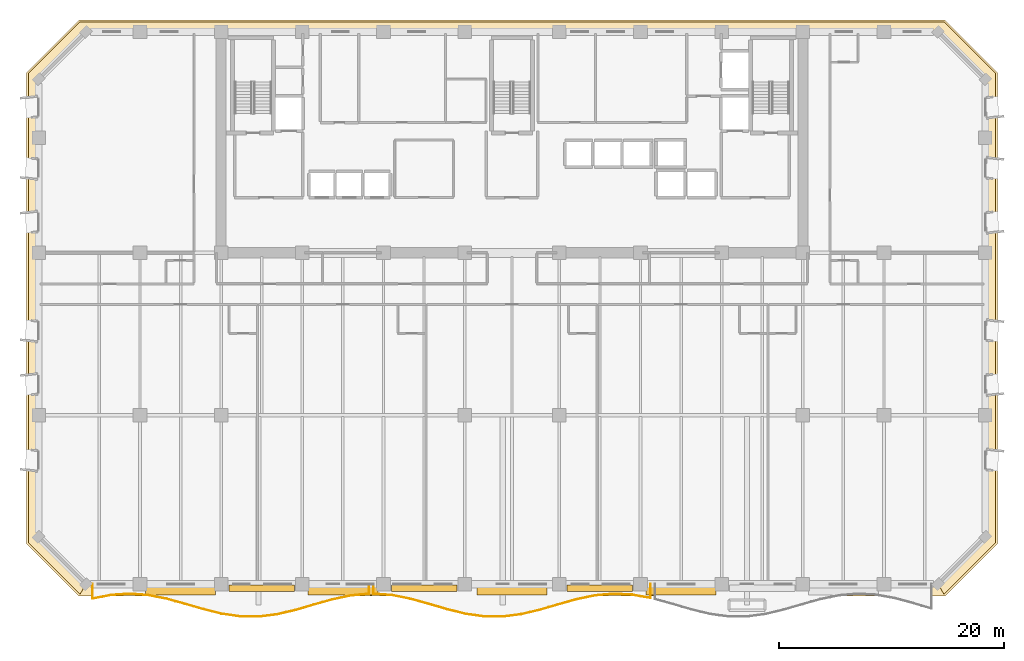
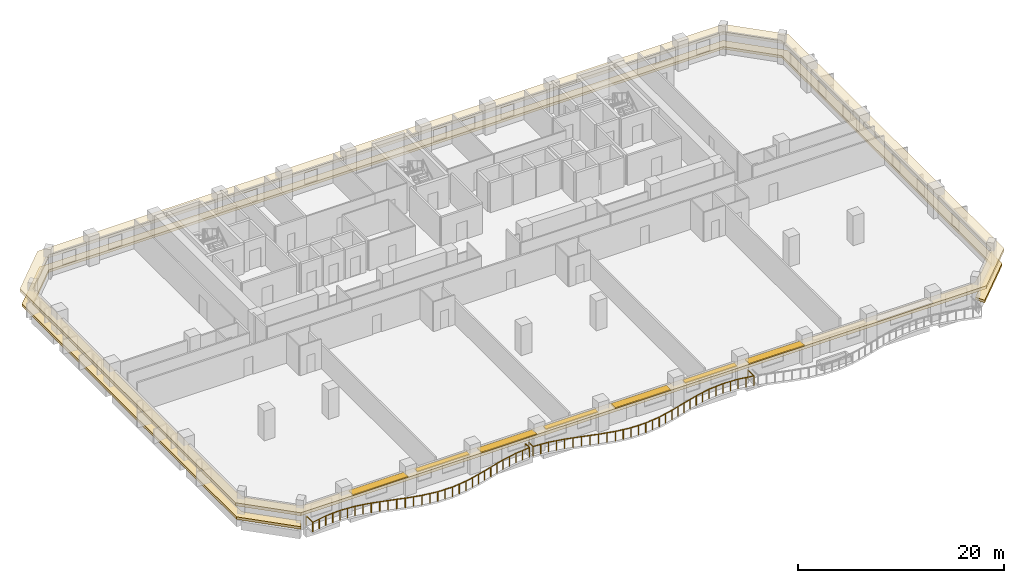
# One storey, part 11 of 14: 7 shading devices, 2 coverings, 2 railings.
"""IFC4 building model written with IfcOpenShell, lengths in metres."""

import ifcopenshell
import ifcopenshell.guid

model = None  # the IFC model being written
_history = None  # IfcOwnerHistory: only IFC2X3 demands one
_inside = {}  # id of a spatial element -> (the spatial element, [elements in it])
_under = {}  # id of a project, library or spatial element -> (it, [spatial elements below it])
_declared = {}  # id of a project -> (the project, [libraries it declares])
_typed = {}  # id of a type object -> (the type object, [elements of that type])
_made_of = {}  # id of a material, layer set ... -> (it, [elements and type objects made of it])


def new_model(schema):
    """Start an empty IFC model of exactly this schema.

    Asked for "IFC4X3", IfcOpenShell would pick the latest addendum, in which some entities
    have other attributes; the version numbers below select the first issue.
    IFC2X3 requires an IfcOwnerHistory on every rooted entity: one is made here for all.
    """
    global model, _history
    if schema == "IFC4X3":
        model = ifcopenshell.file(schema_version=(4, 3, 0, 0))
    else:
        model = ifcopenshell.file(schema=schema)
    _inside.clear()
    _under.clear()
    _declared.clear()
    _typed.clear()
    _made_of.clear()
    _history = None
    if model.schema == "IFC2X3":
        org = make("IfcOrganization", Name="unknown")
        user = make(
            "IfcPersonAndOrganization",
            ThePerson=make("IfcPerson", FamilyName="unknown"),
            TheOrganization=org,
        )
        app = make(
            "IfcApplication",
            ApplicationDeveloper=org,
            Version="unknown",
            ApplicationFullName="unknown",
            ApplicationIdentifier="unknown",
        )
        _history = make(
            "IfcOwnerHistory",
            OwningUser=user,
            OwningApplication=app,
            ChangeAction="ADDED",
            CreationDate=0,
        )
    return model


def make(cls, **values):
    """One entity of the class cls with the attributes given. An attribute that is None is left unset."""
    return model.create_entity(
        cls, **{name: value for name, value in values.items() if value is not None}
    )


def rooted(cls, **values):
    """An entity with a GlobalId (a new one), such as an element, a storey or a relation."""
    return make(cls, GlobalId=ifcopenshell.guid.new(), OwnerHistory=_history, **values)


def si_unit(unit_type, name, prefix=None):
    """IfcSIUnit, for example si_unit("LENGTHUNIT", "METRE", prefix="MILLI")."""
    return make("IfcSIUnit", UnitType=unit_type, Prefix=prefix, Name=name)


def assignment(units):
    """IfcUnitAssignment: the units of a project."""
    return None if units is None else make("IfcUnitAssignment", Units=units)


def point(xyz):
    """IfcCartesianPoint."""
    return None if xyz is None else make("IfcCartesianPoint", Coordinates=xyz)


def direction(xyz):
    """IfcDirection."""
    return None if xyz is None else make("IfcDirection", DirectionRatios=xyz)


def frame(location, z_axis=None, x_axis=None):
    """IfcAxis2Placement3D, a coordinate frame: its origin and axes. An axis left out is left unset."""
    return make(
        "IfcAxis2Placement3D",
        Location=point(location),
        Axis=direction(z_axis),
        RefDirection=direction(x_axis),
    )


def frame_2d(location, x_axis=None):
    """IfcAxis2Placement2D, a coordinate frame in the plane: its origin and x axis."""
    return make(
        "IfcAxis2Placement2D", Location=point(location), RefDirection=direction(x_axis)
    )


def origin():
    """The frame at (0, 0, 0) with its axes left unset."""
    return frame((0.0, 0.0, 0.0))


def origin_2d():
    """The frame at (0, 0) in the plane with its x axis left unset."""
    return frame_2d((0.0, 0.0))


def place(relative_to, where):
    """IfcLocalPlacement: puts the frame where relative to a parent placement (None: the world)."""
    return make(
        "IfcLocalPlacement", PlacementRelTo=relative_to, RelativePlacement=where
    )


def context(
    kind, dimensions, precision=None, world=None, true_north=None, identifier=None
):
    """IfcGeometricRepresentationContext, for example the 3D "Model" context."""
    return make(
        "IfcGeometricRepresentationContext",
        ContextIdentifier=identifier,
        ContextType=kind,
        CoordinateSpaceDimension=dimensions,
        Precision=precision,
        WorldCoordinateSystem=world,
        TrueNorth=true_north,
    )


def subcontext(parent, identifier, kind, view, scale=None):
    """IfcGeometricRepresentationSubContext, for example "Body" below "Model"."""
    return make(
        "IfcGeometricRepresentationSubContext",
        ContextIdentifier=identifier,
        ContextType=kind,
        ParentContext=parent,
        TargetScale=scale,
        TargetView=view,
    )


def project(units=None, contexts=None):
    """IfcProject with its units and contexts."""
    return rooted(
        "IfcProject",
        Name="project",
        RepresentationContexts=contexts,
        UnitsInContext=assignment(units),
    )


def spatial(cls, under=None, at=None, **own):
    """A site, building, storey or space (cls), placed at a placement, below another one or the project."""
    s = rooted(cls, ObjectPlacement=at, **own)
    if under is not None:
        _under.setdefault(under.id(), (under, []))[1].append(s)
    return s


def polyline(points):
    """IfcPolyline through the points."""
    return make("IfcPolyline", Points=[point(p) for p in points])


def profile(cls, at=None, kind="AREA", **sizes):
    """A parametric profile (cls). Its sizes go by their IFC names, for example OverallWidth=200.0."""
    return make(cls, ProfileType=kind, Position=at, **sizes)


def rectangle(**sizes):
    """IfcRectangleProfileDef."""
    return profile("IfcRectangleProfileDef", **sizes)


def outline(outer, holes=None, kind="AREA"):
    """IfcArbitraryClosedProfileDef: a profile drawn as a closed curve; with holes, ...WithVoids."""
    if holes is None:
        return make("IfcArbitraryClosedProfileDef", ProfileType=kind, OuterCurve=outer)
    return make(
        "IfcArbitraryProfileDefWithVoids",
        ProfileType=kind,
        OuterCurve=outer,
        InnerCurves=holes,
    )


def extrude(swept, where, along, depth):
    """IfcExtrudedAreaSolid: the profile swept, set in the frame where, extruded along a direction by depth."""
    return make(
        "IfcExtrudedAreaSolid",
        SweptArea=swept,
        Position=where,
        ExtrudedDirection=direction(along),
        Depth=depth,
    )


def shape(context_of_items, identifier, shape_type, items):
    """IfcShapeRepresentation: the items that make up one representation, for example the "Body"."""
    return make(
        "IfcShapeRepresentation",
        ContextOfItems=context_of_items,
        RepresentationIdentifier=identifier,
        RepresentationType=shape_type,
        Items=items,
    )


def material(Name=None, Category=None):
    """IfcMaterial."""
    return make("IfcMaterial", Name=Name, Category=Category)


def layer(
    of_material, thickness, ventilated=None, Name=None, Category=None, Priority=None
):
    """IfcMaterialLayer: one layer of a wall or slab, of a material (None: an air gap)."""
    return make(
        "IfcMaterialLayer",
        Material=of_material,
        LayerThickness=thickness,
        IsVentilated=ventilated,
        Name=Name,
        Category=Category,
        Priority=Priority,
    )


def layer_set(layers, Name=None):
    """IfcMaterialLayerSet."""
    return make("IfcMaterialLayerSet", MaterialLayers=layers, LayerSetName=Name)


def made_of(thing, what):
    """Note that an element or type object is made of a material, layer set ...; save() writes the relation."""
    if what is not None:
        _made_of.setdefault(what.id(), (what, []))[1].append(thing)
    return thing


def type_object(cls, material=None, **own):
    """A type object (cls), such as IfcWallType, which elements share."""
    return made_of(rooted(cls, **own), material)


def element(
    cls,
    number,
    at=None,
    inside=None,
    cuts=None,
    type_object=None,
    material=None,
    context=None,
    identifier="Body",
    shape_type=None,
    held_by="IfcProductDefinitionShape",
    body=None,
    shapes=None,
    **own,
):
    """One element of the class cls, such as IfcWall. Its Tag is "e" and its number.

    at: its placement. inside: the storey or other place that contains it. cuts: it is an
    opening in that element (IfcRelVoidsElement). A single representation is given by context,
    identifier, shape_type and body (its items); several are given by shapes. held_by: the class
    of the entity that holds the representations. save() writes the other relations.
    """
    e = rooted(cls, Tag="e%d" % number, ObjectPlacement=at, **own)
    if body is not None:
        shapes = [shape(context, identifier, shape_type, body)]
    if shapes is not None:
        e.Representation = make(held_by, Representations=shapes)
    if inside is not None:
        _inside.setdefault(inside.id(), (inside, []))[1].append(e)
    if cuts is not None:
        rooted(
            "IfcRelVoidsElement", RelatingBuildingElement=cuts, RelatedOpeningElement=e
        )
    if type_object is not None:
        _typed.setdefault(type_object.id(), (type_object, []))[1].append(e)
    return made_of(e, material)


def aggregate(whole, parts):
    """IfcRelAggregates: a whole, such as a stair, and the parts it consists of."""
    return rooted("IfcRelAggregates", RelatingObject=whole, RelatedObjects=parts)


def save(model, path):
    """Write the relations noted so far, then the file.

    IfcRelAggregates (storeys below a building ...), IfcRelContainedInSpatialStructure (elements
    in a storey), IfcRelDefinesByType, IfcRelAssociatesMaterial and IfcRelDeclares: one each for
    every whole, place, type object, material and project.
    """
    for whole, parts in _under.values():
        aggregate(whole, parts)
    for where, things in _inside.values():
        rooted(
            "IfcRelContainedInSpatialStructure",
            RelatedElements=things,
            RelatingStructure=where,
        )
    for kind, things in _typed.values():
        rooted("IfcRelDefinesByType", RelatedObjects=things, RelatingType=kind)
    for what, things in _made_of.values():
        rooted("IfcRelAssociatesMaterial", RelatedObjects=things, RelatingMaterial=what)
    for by, libraries in _declared.values():
        rooted("IfcRelDeclares", RelatingContext=by, RelatedDefinitions=libraries)
    model.write(path)


model = new_model("IFC4")

# Units and contexts
model_context = context("Model", 3, precision=1e-05, world=origin(), true_north=direction((0.0, 1.0)))
body_context = subcontext(model_context, "Body", "Model", "MODEL_VIEW")
ifc_project = project(units=[si_unit("LENGTHUNIT", "METRE"), si_unit("AREAUNIT", "SQUARE_METRE"), si_unit("VOLUMEUNIT", "CUBIC_METRE"), si_unit("PLANEANGLEUNIT", "RADIAN"), si_unit("MASSUNIT", "GRAM", prefix="KILO")], contexts=[model_context])

# Site, building, storey
site_placement = place(None, origin())
site = spatial("IfcSite", under=ifc_project, at=site_placement, CompositionType="ELEMENT")
building_placement = place(site_placement, origin())
building = spatial("IfcBuilding", under=site, at=building_placement, Name="Kaelvorn Grand Hotel", CompositionType="ELEMENT")
storey_placement = place(building_placement, frame((0.0, 0.0, 123.050048828125)))
storey = spatial("IfcBuildingStorey", under=building, at=storey_placement, Name="L29", CompositionType="ELEMENT", Elevation=123.050048828125)

# Coverings
ifc_material_1 = material(Name="Precast concrete C45/55", Category="concrete")
ifc_layer_1 = layer(ifc_material_1, 0.260009765625)
ifc_layer_set_1 = layer_set([ifc_layer_1], Name="Precast concrete C45/55")
covering_type_1 = type_object("IfcCoveringType", Name="COV-BAND-STREAMLINE-HEAD", PredefinedType="CLADDING", material=ifc_layer_set_1)
covering_1_placement = place(storey_placement, frame((0.0, 0.0, 2.179931640625)))
element("IfcCovering", 1, at=covering_1_placement, inside=storey, type_object=covering_type_1, Name="L29 Streamline Moderne Wraparound Horizontal Eyebrow Band", PredefinedType="CLADDING", context=body_context, shape_type="SweptSolid", body=[
    extrude(outline(polyline([(3.590087890625, -1.050048828125), (80.409912109375, -1.050048828125), (85.050048828125, 3.590087890625), (85.050048828125, 45.409912109375), (80.409912109375, 50.050048828125), (3.590087890625, 50.050048828125), (-1.050048828125, 45.409912109375), (-1.050048828125, 3.590087890625), (3.590087890625, -1.050048828125)]), holes=[polyline([(4.219970703125, 0.030029296875), (79.780029296875, 0.030029296875), (83.969970703125, 4.219970703125), (83.969970703125, 44.780029296875), (79.780029296875, 48.969970703125), (4.219970703125, 48.969970703125), (0.030029296875, 44.780029296875), (0.030029296875, 4.219970703125), (4.219970703125, 0.030029296875)])]), origin(), (0.0, 0.0, 1.0), 0.360107421875),
])
ifc_layer_2 = layer(ifc_material_1, 0.219970703125)
ifc_layer_set_2 = layer_set([ifc_layer_2], Name="Precast concrete C45/55")
covering_type_2 = type_object("IfcCoveringType", Name="COV-BAND-STREAMLINE-SILL", PredefinedType="CLADDING", material=ifc_layer_set_2)
covering_2_placement = place(storey_placement, frame((0.0, 0.0, 0.449951171875)))
element("IfcCovering", 2, at=covering_2_placement, inside=storey, type_object=covering_type_2, Name="L29 Streamline Moderne Wraparound Horizontal Sill Spandrel Band", PredefinedType="CLADDING", context=body_context, shape_type="SweptSolid", body=[
    extrude(outline(polyline([(80.3154296875, -0.8798828125), (84.8798828125, 3.6845703125), (84.8798828125, 45.3154296875), (80.3154296875, 49.8798828125), (3.6845703125, 49.8798828125), (-0.8798828125, 45.3154296875), (-0.8798828125, 3.6845703125), (3.6845703125, -0.8798828125), (4.217529296875, 0.030029296875), (0.030029296875, 4.217529296875), (0.030029296875, 44.782470703125), (4.217529296875, 48.969970703125), (79.782470703125, 48.969970703125), (83.969970703125, 44.782470703125), (83.969970703125, 4.217529296875), (79.782470703125, 0.030029296875), (80.3154296875, -0.8798828125)])), origin(), (0.0, 0.0, 1.0), 0.300048828125),
])

# Railings
ifc_material_2 = material(Name="Stainless Steel", Category="steel")
railing_type = type_object("IfcRailingType", Name="RL-BALC-1150", PredefinedType="BALUSTRADE", material=ifc_material_2)
railing_1_placement = place(storey_placement, frame((4.800048828125, 0.0, 0.0)))
element("IfcRailing", 3, at=railing_1_placement, inside=storey, type_object=railing_type, Name="L29 Scalloped Wave Balcony Balustrade GR1-1", PredefinedType="BALUSTRADE", context=body_context, shape_type="SweptSolid", body=[
    extrude(rectangle(XDim=0.048095703125, YDim=0.048095703125, at=origin_2d()), frame((0.0, 0.0, 1.1259765625), z_axis=(0.0, -1.0, 0.0), x_axis=(1.0, 0.0, 0.0)), (0.0, 0.0, 1.0), 1.2724609375),
    extrude(rectangle(XDim=0.048095703125, YDim=0.048095703125, at=origin_2d()), frame((0.0, -1.2724609375, 1.1259765625), z_axis=(0.982203562984, 0.1878194901, 0.0), x_axis=(-0.1878194901, 0.982203562984, 0.0)), (0.0, 0.0, 1.0), 1.6650390625),
    extrude(rectangle(XDim=0.048095703125, YDim=0.048095703125, at=origin_2d()), frame((1.635498046875, -0.959716796875, 1.1259765625), z_axis=(0.997761369143, 0.066874885019, 0.0), x_axis=(-0.066874885019, 0.997761369143, 0.0)), (0.0, 0.0, 1.0), 1.63916015625),
    extrude(rectangle(XDim=0.048095703125, YDim=0.048095703125, at=origin_2d()), frame((3.27099609375, -0.85009765625, 1.1259765625), z_axis=(0.997411632493, -0.071902957984, 0.0), x_axis=(0.071902957984, 0.997411632493, 0.0)), (0.0, 0.0, 1.0), 1.639892578125),
    extrude(rectangle(XDim=0.048095703125, YDim=0.048095703125, at=origin_2d()), frame((4.90673828125, -0.968017578125, 1.1259765625), z_axis=(0.981438838615, -0.191775405247, 0.0), x_axis=(0.191775405247, 0.981438838615, 0.0)), (0.0, 0.0, 1.0), 1.66650390625),
    extrude(rectangle(XDim=0.048095703125, YDim=0.048095703125, at=origin_2d()), frame((6.542236328125, -1.28759765625, 1.1259765625), z_axis=(0.96417686915, -0.265260183586, 0.0), x_axis=(0.265260183586, 0.96417686915, 0.0)), (0.0, 0.0, 1.0), 1.6962890625),
    extrude(rectangle(XDim=0.048095703125, YDim=0.048095703125, at=origin_2d()), frame((8.177734375, -1.737548828125, 1.1259765625), z_axis=(0.959454398454, -0.281863898516, 0.0), x_axis=(0.281863898516, 0.959454398454, 0.0)), (0.0, 0.0, 1.0), 1.70458984375),
    extrude(rectangle(XDim=0.048095703125, YDim=0.048095703125, at=origin_2d()), frame((9.813232421875, -2.218017578125, 1.1259765625), z_axis=(0.970778455787, -0.239977477651, 0.0), x_axis=(0.239977477651, 0.970778455787, 0.0)), (0.0, 0.0, 1.0), 1.684814453125),
    extrude(rectangle(XDim=0.048095703125, YDim=0.048095703125, at=origin_2d()), frame((11.44873046875, -2.622314453125, 1.1259765625), z_axis=(0.98955581649, -0.144150220432, 0.0), x_axis=(0.144150220432, 0.98955581649, 0.0)), (0.0, 0.0, 1.0), 1.653076171875),
    extrude(rectangle(XDim=0.048095703125, YDim=0.048095703125, at=origin_2d()), frame((13.08447265625, -2.860595703125, 1.1259765625), z_axis=(0.999928700978, -0.011941229449, 0.0), x_axis=(0.011941229449, 0.999928700978, 0.0)), (0.0, 0.0, 1.0), 1.635498046875),
    extrude(rectangle(XDim=0.048095703125, YDim=0.048095703125, at=origin_2d()), frame((14.719970703125, -2.880126953125, 1.1259765625), z_axis=(0.992302924099, 0.123834190856, 0.0), x_axis=(-0.123834190856, 0.992302924099, 0.0)), (0.0, 0.0, 1.0), 1.648193359375),
    extrude(rectangle(XDim=0.048095703125, YDim=0.048095703125, at=origin_2d()), frame((16.35546875, -2.676025390625, 1.1259765625), z_axis=(0.973844426508, 0.227215829024, 0.0), x_axis=(-0.227215829024, 0.973844426508, 0.0)), (0.0, 0.0, 1.0), 1.679443359375),
    extrude(rectangle(XDim=0.048095703125, YDim=0.048095703125, at=origin_2d()), frame((17.990966796875, -2.29443359375, 1.1259765625), z_axis=(0.960314032901, 0.278921060899, 0.0), x_axis=(-0.278921060899, 0.960314032901, 0.0)), (0.0, 0.0, 1.0), 1.703369140625),
    extrude(rectangle(XDim=0.048095703125, YDim=0.048095703125, at=origin_2d()), frame((19.626708984375, -1.8193359375, 1.1259765625), z_axis=(0.962241545122, 0.272197003733, 0.0), x_axis=(-0.272197003733, 0.962241545122, 0.0)), (0.0, 0.0, 1.0), 1.69970703125),
    extrude(rectangle(XDim=0.048095703125, YDim=0.048095703125, at=origin_2d()), frame((21.26220703125, -1.356689453125, 1.1259765625), z_axis=(0.978174805455, 0.207783661466, 0.0), x_axis=(-0.207783661466, 0.978174805455, 0.0)), (0.0, 0.0, 1.0), 1.671875),
    extrude(rectangle(XDim=0.048095703125, YDim=0.048095703125, at=origin_2d()), frame((22.897705078125, -1.00927734375, 1.1259765625), z_axis=(0.995523480824, 0.09451454453, 0.0), x_axis=(-0.09451454453, 0.995523480824, 0.0)), (0.0, 0.0, 1.0), 1.642822265625),
    extrude(rectangle(XDim=0.048095703125, YDim=0.048095703125, at=origin_2d()), frame((24.533203125, -0.85400390625, 1.1259765625), z_axis=(0.0, 1.0, 0.0), x_axis=(-1.0, 0.0, 0.0)), (0.0, 0.0, 1.0), 0.85400390625),
    extrude(rectangle(XDim=0.0419921875, YDim=0.0419921875, at=origin_2d()), origin(), (0.0, 0.0, 1.0), 1.101806640625),
    extrude(rectangle(XDim=0.0419921875, YDim=0.0419921875, at=origin_2d()), frame((0.0, -1.2724609375, 0.0)), (0.0, 0.0, 1.0), 1.101806640625),
    extrude(rectangle(XDim=0.0419921875, YDim=0.0419921875, at=origin_2d()), frame((0.81787109375, -1.1162109375, 0.0)), (0.0, 0.0, 1.0), 1.101806640625),
    extrude(rectangle(XDim=0.0419921875, YDim=0.0419921875, at=origin_2d()), frame((1.635498046875, -0.959716796875, 0.0)), (0.0, 0.0, 1.0), 1.101806640625),
    extrude(rectangle(XDim=0.0419921875, YDim=0.0419921875, at=origin_2d()), frame((2.453125, -0.90478515625, 0.0)), (0.0, 0.0, 1.0), 1.101806640625),
    extrude(rectangle(XDim=0.0419921875, YDim=0.0419921875, at=origin_2d()), frame((3.27099609375, -0.85009765625, 0.0)), (0.0, 0.0, 1.0), 1.101806640625),
    extrude(rectangle(XDim=0.0419921875, YDim=0.0419921875, at=origin_2d()), frame((4.0888671875, -0.9091796875, 0.0)), (0.0, 0.0, 1.0), 1.101806640625),
    extrude(rectangle(XDim=0.0419921875, YDim=0.0419921875, at=origin_2d()), frame((4.90673828125, -0.968017578125, 0.0)), (0.0, 0.0, 1.0), 1.101806640625),
    extrude(rectangle(XDim=0.0419921875, YDim=0.0419921875, at=origin_2d()), frame((5.724609375, -1.1279296875, 0.0)), (0.0, 0.0, 1.0), 1.101806640625),
    extrude(rectangle(XDim=0.0419921875, YDim=0.0419921875, at=origin_2d()), frame((6.542236328125, -1.28759765625, 0.0)), (0.0, 0.0, 1.0), 1.101806640625),
    extrude(rectangle(XDim=0.0419921875, YDim=0.0419921875, at=origin_2d()), frame((7.35986328125, -1.5126953125, 0.0)), (0.0, 0.0, 1.0), 1.101806640625),
    extrude(rectangle(XDim=0.0419921875, YDim=0.0419921875, at=origin_2d()), frame((8.177734375, -1.737548828125, 0.0)), (0.0, 0.0, 1.0), 1.101806640625),
    extrude(rectangle(XDim=0.0419921875, YDim=0.0419921875, at=origin_2d()), frame((8.99560546875, -1.977783203125, 0.0)), (0.0, 0.0, 1.0), 1.101806640625),
    extrude(rectangle(XDim=0.0419921875, YDim=0.0419921875, at=origin_2d()), frame((9.813232421875, -2.218017578125, 0.0)), (0.0, 0.0, 1.0), 1.101806640625),
    extrude(rectangle(XDim=0.0419921875, YDim=0.0419921875, at=origin_2d()), frame((10.630859375, -2.420166015625, 0.0)), (0.0, 0.0, 1.0), 1.101806640625),
    extrude(rectangle(XDim=0.0419921875, YDim=0.0419921875, at=origin_2d()), frame((11.44873046875, -2.622314453125, 0.0)), (0.0, 0.0, 1.0), 1.101806640625),
    extrude(rectangle(XDim=0.0419921875, YDim=0.0419921875, at=origin_2d()), frame((12.2666015625, -2.741455078125, 0.0)), (0.0, 0.0, 1.0), 1.101806640625),
    extrude(rectangle(XDim=0.0419921875, YDim=0.0419921875, at=origin_2d()), frame((13.08447265625, -2.860595703125, 0.0)), (0.0, 0.0, 1.0), 1.101806640625),
    extrude(rectangle(XDim=0.0419921875, YDim=0.0419921875, at=origin_2d()), frame((13.90234375, -2.870361328125, 0.0)), (0.0, 0.0, 1.0), 1.101806640625),
    extrude(rectangle(XDim=0.0419921875, YDim=0.0419921875, at=origin_2d()), frame((14.719970703125, -2.880126953125, 0.0)), (0.0, 0.0, 1.0), 1.101806640625),
    extrude(rectangle(XDim=0.0419921875, YDim=0.0419921875, at=origin_2d()), frame((15.53759765625, -2.778076171875, 0.0)), (0.0, 0.0, 1.0), 1.101806640625),
    extrude(rectangle(XDim=0.0419921875, YDim=0.0419921875, at=origin_2d()), frame((16.35546875, -2.676025390625, 0.0)), (0.0, 0.0, 1.0), 1.101806640625),
    extrude(rectangle(XDim=0.0419921875, YDim=0.0419921875, at=origin_2d()), frame((17.17333984375, -2.4853515625, 0.0)), (0.0, 0.0, 1.0), 1.101806640625),
    extrude(rectangle(XDim=0.0419921875, YDim=0.0419921875, at=origin_2d()), frame((17.990966796875, -2.29443359375, 0.0)), (0.0, 0.0, 1.0), 1.101806640625),
    extrude(rectangle(XDim=0.0419921875, YDim=0.0419921875, at=origin_2d()), frame((18.808837890625, -2.056884765625, 0.0)), (0.0, 0.0, 1.0), 1.101806640625),
    extrude(rectangle(XDim=0.0419921875, YDim=0.0419921875, at=origin_2d()), frame((19.626708984375, -1.8193359375, 0.0)), (0.0, 0.0, 1.0), 1.101806640625),
    extrude(rectangle(XDim=0.0419921875, YDim=0.0419921875, at=origin_2d()), frame((20.4443359375, -1.587890625, 0.0)), (0.0, 0.0, 1.0), 1.101806640625),
    extrude(rectangle(XDim=0.0419921875, YDim=0.0419921875, at=origin_2d()), frame((21.26220703125, -1.356689453125, 0.0)), (0.0, 0.0, 1.0), 1.101806640625),
    extrude(rectangle(XDim=0.0419921875, YDim=0.0419921875, at=origin_2d()), frame((22.080078125, -1.18310546875, 0.0)), (0.0, 0.0, 1.0), 1.101806640625),
    extrude(rectangle(XDim=0.0419921875, YDim=0.0419921875, at=origin_2d()), frame((22.897705078125, -1.00927734375, 0.0)), (0.0, 0.0, 1.0), 1.101806640625),
    extrude(rectangle(XDim=0.0419921875, YDim=0.0419921875, at=origin_2d()), frame((23.71533203125, -0.931640625, 0.0)), (0.0, 0.0, 1.0), 1.101806640625),
    extrude(rectangle(XDim=0.0419921875, YDim=0.0419921875, at=origin_2d()), frame((24.533203125, -0.85400390625, 0.0)), (0.0, 0.0, 1.0), 1.101806640625),
    extrude(rectangle(XDim=0.0419921875, YDim=0.0419921875, at=origin_2d()), frame((24.533203125, 0.0, 0.0)), (0.0, 0.0, 1.0), 1.101806640625),
])
railing_2_placement = place(storey_placement, frame((29.7333984375, 0.0, 0.0)))
element("IfcRailing", 4, at=railing_2_placement, inside=storey, type_object=railing_type, Name="L29 Scalloped Wave Balcony Balustrade GR1-2", PredefinedType="BALUSTRADE", context=body_context, shape_type="SweptSolid", body=[
    extrude(rectangle(XDim=0.048095703125, YDim=0.048095703125, at=origin_2d()), frame((0.0, 0.0, 1.1259765625), z_axis=(0.0, -1.0, 0.0), x_axis=(1.0, 0.0, 0.0)), (0.0, 0.0, 1.0), 0.850341796875),
    extrude(rectangle(XDim=0.048095703125, YDim=0.048095703125, at=origin_2d()), frame((0.0, -0.850341796875, 1.1259765625), z_axis=(0.997023764101, -0.077094836514, 0.0), x_axis=(0.077094836514, 0.997023764101, 0.0)), (0.0, 0.0, 1.0), 1.640380859375),
    extrude(rectangle(XDim=0.048095703125, YDim=0.048095703125, at=origin_2d()), frame((1.635498046875, -0.976806640625, 1.1259765625), z_axis=(0.980687509387, -0.195581208022, 0.0), x_axis=(0.195581208022, 0.980687509387, 0.0)), (0.0, 0.0, 1.0), 1.667724609375),
    extrude(rectangle(XDim=0.048095703125, YDim=0.048095703125, at=origin_2d()), frame((3.27099609375, -1.302978515625, 1.1259765625), z_axis=(0.963696999215, -0.266998302813, 0.0), x_axis=(0.266998302813, 0.963696999215, 0.0)), (0.0, 0.0, 1.0), 1.697021484375),
    extrude(rectangle(XDim=0.048095703125, YDim=0.048095703125, at=origin_2d()), frame((4.906494140625, -1.756103515625, 1.1259765625), z_axis=(0.959620545058, -0.281297723954, 0.0), x_axis=(0.281297723954, 0.959620545058, 0.0)), (0.0, 0.0, 1.0), 1.70458984375),
    extrude(rectangle(XDim=0.048095703125, YDim=0.048095703125, at=origin_2d()), frame((6.542236328125, -2.235595703125, 1.1259765625), z_axis=(0.971450272651, -0.237243267063, 0.0), x_axis=(0.237243267063, 0.971450272651, 0.0)), (0.0, 0.0, 1.0), 1.68359375),
    extrude(rectangle(XDim=0.048095703125, YDim=0.048095703125, at=origin_2d()), frame((8.177734375, -2.635009765625, 1.1259765625), z_axis=(0.990216726889, -0.139537929569, 0.0), x_axis=(0.139537929569, 0.990216726889, 0.0)), (0.0, 0.0, 1.0), 1.651611328125),
    extrude(rectangle(XDim=0.048095703125, YDim=0.048095703125, at=origin_2d()), frame((9.813232421875, -2.865478515625, 1.1259765625), z_axis=(0.999978430437, -0.006568002827, 0.0), x_axis=(0.006568002827, 0.999978430437, 0.0)), (0.0, 0.0, 1.0), 1.635498046875),
    extrude(rectangle(XDim=0.048095703125, YDim=0.048095703125, at=origin_2d()), frame((11.44873046875, -2.876220703125, 1.1259765625), z_axis=(0.991731137416, 0.128332969573, 0.0), x_axis=(-0.128332969573, 0.991731137416, 0.0)), (0.0, 0.0, 1.0), 1.6494140625),
    extrude(rectangle(XDim=0.048095703125, YDim=0.048095703125, at=origin_2d()), frame((13.08447265625, -2.66455078125, 1.1259765625), z_axis=(0.973100001254, 0.230383132108, 0.0), x_axis=(-0.230383132108, 0.973100001254, 0.0)), (0.0, 0.0, 1.0), 1.6806640625),
    extrude(rectangle(XDim=0.048095703125, YDim=0.048095703125, at=origin_2d()), frame((14.719970703125, -2.27734375, 1.1259765625), z_axis=(0.960072199194, 0.27975234107, 0.0), x_axis=(-0.27975234107, 0.960072199194, 0.0)), (0.0, 0.0, 1.0), 1.70361328125),
    extrude(rectangle(XDim=0.048095703125, YDim=0.048095703125, at=origin_2d()), frame((16.35546875, -1.80078125, 1.1259765625), z_axis=(0.962654451324, 0.270733092446, 0.0), x_axis=(-0.270733092446, 0.962654451324, 0.0)), (0.0, 0.0, 1.0), 1.698974609375),
    extrude(rectangle(XDim=0.048095703125, YDim=0.048095703125, at=origin_2d()), frame((17.990966796875, -1.3408203125, 1.1259765625), z_axis=(0.97891716502, 0.204257641298, 0.0), x_axis=(-0.204257641298, 0.97891716502, 0.0)), (0.0, 0.0, 1.0), 1.6708984375),
    extrude(rectangle(XDim=0.048095703125, YDim=0.048095703125, at=origin_2d()), frame((19.626708984375, -0.99951171875, 1.1259765625), z_axis=(0.9959865086, 0.089503489801, 0.0), x_axis=(-0.089503489801, 0.9959865086, 0.0)), (0.0, 0.0, 1.0), 1.64208984375),
    extrude(rectangle(XDim=0.048095703125, YDim=0.048095703125, at=origin_2d()), frame((21.26220703125, -0.8525390625, 1.1259765625), z_axis=(0.998796192394, -0.049052686565, 0.0), x_axis=(0.049052686565, 0.998796192394, 0.0)), (0.0, 0.0, 1.0), 1.637451171875),
    extrude(rectangle(XDim=0.048095703125, YDim=0.048095703125, at=origin_2d()), frame((22.897705078125, -0.932861328125, 1.1259765625), z_axis=(0.984712445929, -0.174187826306, 0.0), x_axis=(0.174187826306, 0.984712445929, 0.0)), (0.0, 0.0, 1.0), 1.660888671875),
    extrude(rectangle(XDim=0.048095703125, YDim=0.048095703125, at=origin_2d()), frame((24.533203125, -1.22216796875, 1.1259765625), z_axis=(0.0, 1.0, 0.0), x_axis=(-1.0, 0.0, 0.0)), (0.0, 0.0, 1.0), 1.22216796875),
    extrude(rectangle(XDim=0.0419921875, YDim=0.0419921875, at=origin_2d()), origin(), (0.0, 0.0, 1.0), 1.101806640625),
    extrude(rectangle(XDim=0.0419921875, YDim=0.0419921875, at=origin_2d()), frame((0.0, -0.850341796875, 0.0)), (0.0, 0.0, 1.0), 1.101806640625),
    extrude(rectangle(XDim=0.0419921875, YDim=0.0419921875, at=origin_2d()), frame((0.81787109375, -0.91357421875, 0.0)), (0.0, 0.0, 1.0), 1.101806640625),
    extrude(rectangle(XDim=0.0419921875, YDim=0.0419921875, at=origin_2d()), frame((1.635498046875, -0.976806640625, 0.0)), (0.0, 0.0, 1.0), 1.101806640625),
    extrude(rectangle(XDim=0.0419921875, YDim=0.0419921875, at=origin_2d()), frame((2.453125, -1.139892578125, 0.0)), (0.0, 0.0, 1.0), 1.101806640625),
    extrude(rectangle(XDim=0.0419921875, YDim=0.0419921875, at=origin_2d()), frame((3.27099609375, -1.302978515625, 0.0)), (0.0, 0.0, 1.0), 1.101806640625),
    extrude(rectangle(XDim=0.0419921875, YDim=0.0419921875, at=origin_2d()), frame((4.0888671875, -1.529541015625, 0.0)), (0.0, 0.0, 1.0), 1.101806640625),
    extrude(rectangle(XDim=0.0419921875, YDim=0.0419921875, at=origin_2d()), frame((4.906494140625, -1.756103515625, 0.0)), (0.0, 0.0, 1.0), 1.101806640625),
    extrude(rectangle(XDim=0.0419921875, YDim=0.0419921875, at=origin_2d()), frame((5.724365234375, -1.995849609375, 0.0)), (0.0, 0.0, 1.0), 1.101806640625),
    extrude(rectangle(XDim=0.0419921875, YDim=0.0419921875, at=origin_2d()), frame((6.542236328125, -2.235595703125, 0.0)), (0.0, 0.0, 1.0), 1.101806640625),
    extrude(rectangle(XDim=0.0419921875, YDim=0.0419921875, at=origin_2d()), frame((7.35986328125, -2.435302734375, 0.0)), (0.0, 0.0, 1.0), 1.101806640625),
    extrude(rectangle(XDim=0.0419921875, YDim=0.0419921875, at=origin_2d()), frame((8.177734375, -2.635009765625, 0.0)), (0.0, 0.0, 1.0), 1.101806640625),
    extrude(rectangle(XDim=0.0419921875, YDim=0.0419921875, at=origin_2d()), frame((8.99560546875, -2.750244140625, 0.0)), (0.0, 0.0, 1.0), 1.101806640625),
    extrude(rectangle(XDim=0.0419921875, YDim=0.0419921875, at=origin_2d()), frame((9.813232421875, -2.865478515625, 0.0)), (0.0, 0.0, 1.0), 1.101806640625),
    extrude(rectangle(XDim=0.0419921875, YDim=0.0419921875, at=origin_2d()), frame((10.630859375, -2.870849609375, 0.0)), (0.0, 0.0, 1.0), 1.101806640625),
    extrude(rectangle(XDim=0.0419921875, YDim=0.0419921875, at=origin_2d()), frame((11.44873046875, -2.876220703125, 0.0)), (0.0, 0.0, 1.0), 1.101806640625),
    extrude(rectangle(XDim=0.0419921875, YDim=0.0419921875, at=origin_2d()), frame((12.2666015625, -2.7705078125, 0.0)), (0.0, 0.0, 1.0), 1.101806640625),
    extrude(rectangle(XDim=0.0419921875, YDim=0.0419921875, at=origin_2d()), frame((13.08447265625, -2.66455078125, 0.0)), (0.0, 0.0, 1.0), 1.101806640625),
    extrude(rectangle(XDim=0.0419921875, YDim=0.0419921875, at=origin_2d()), frame((13.90234375, -2.470947265625, 0.0)), (0.0, 0.0, 1.0), 1.101806640625),
    extrude(rectangle(XDim=0.0419921875, YDim=0.0419921875, at=origin_2d()), frame((14.719970703125, -2.27734375, 0.0)), (0.0, 0.0, 1.0), 1.101806640625),
    extrude(rectangle(XDim=0.0419921875, YDim=0.0419921875, at=origin_2d()), frame((15.53759765625, -2.0390625, 0.0)), (0.0, 0.0, 1.0), 1.101806640625),
    extrude(rectangle(XDim=0.0419921875, YDim=0.0419921875, at=origin_2d()), frame((16.35546875, -1.80078125, 0.0)), (0.0, 0.0, 1.0), 1.101806640625),
    extrude(rectangle(XDim=0.0419921875, YDim=0.0419921875, at=origin_2d()), frame((17.17333984375, -1.57080078125, 0.0)), (0.0, 0.0, 1.0), 1.101806640625),
    extrude(rectangle(XDim=0.0419921875, YDim=0.0419921875, at=origin_2d()), frame((17.990966796875, -1.3408203125, 0.0)), (0.0, 0.0, 1.0), 1.101806640625),
    extrude(rectangle(XDim=0.0419921875, YDim=0.0419921875, at=origin_2d()), frame((18.808837890625, -1.170166015625, 0.0)), (0.0, 0.0, 1.0), 1.101806640625),
    extrude(rectangle(XDim=0.0419921875, YDim=0.0419921875, at=origin_2d()), frame((19.626708984375, -0.99951171875, 0.0)), (0.0, 0.0, 1.0), 1.101806640625),
    extrude(rectangle(XDim=0.0419921875, YDim=0.0419921875, at=origin_2d()), frame((20.4443359375, -0.926025390625, 0.0)), (0.0, 0.0, 1.0), 1.101806640625),
    extrude(rectangle(XDim=0.0419921875, YDim=0.0419921875, at=origin_2d()), frame((21.26220703125, -0.8525390625, 0.0)), (0.0, 0.0, 1.0), 1.101806640625),
    extrude(rectangle(XDim=0.0419921875, YDim=0.0419921875, at=origin_2d()), frame((22.080078125, -0.892578125, 0.0)), (0.0, 0.0, 1.0), 1.101806640625),
    extrude(rectangle(XDim=0.0419921875, YDim=0.0419921875, at=origin_2d()), frame((22.897705078125, -0.932861328125, 0.0)), (0.0, 0.0, 1.0), 1.101806640625),
    extrude(rectangle(XDim=0.0419921875, YDim=0.0419921875, at=origin_2d()), frame((23.71533203125, -1.07763671875, 0.0)), (0.0, 0.0, 1.0), 1.101806640625),
    extrude(rectangle(XDim=0.0419921875, YDim=0.0419921875, at=origin_2d()), frame((24.533203125, -1.22216796875, 0.0)), (0.0, 0.0, 1.0), 1.101806640625),
    extrude(rectangle(XDim=0.0419921875, YDim=0.0419921875, at=origin_2d()), frame((24.533203125, 0.0, 0.0)), (0.0, 0.0, 1.0), 1.101806640625),
])

# Shading devices
ifc_layer_3 = layer(ifc_material_1, 0.1201171875)
ifc_layer_set_3 = layer_set([ifc_layer_3], Name="Precast concrete C45/55")
shading_device_type_1 = type_object("IfcShadingDeviceType", Name="SHD-SUNSHADE-550", PredefinedType="USERDEFINED", material=ifc_layer_set_3)
for number, where, z_axis, x_axis, name in (
    (5, (19.800048828125, -0.364990234375, 2.419921875), (0.0, 0.0, 1.0), (1.0, 0.0, 0.0), "L29 Horizontal Concrete Sunshade Band SS-03"),
    (6, (34.199951171875, -0.364990234375, 2.419921875), (0.0, 0.0, 1.0), (1.0, 0.0, 0.0), "L29 Horizontal Concrete Sunshade Band SS-05"),
    (7, (49.800048828125, -0.364990234375, 2.419921875), (0.0, 0.0, 1.0), (1.0, 0.0, 0.0), "L29 Horizontal Concrete Sunshade Band SS-07"),
):
    element("IfcShadingDevice", number, at=place(storey_placement, frame(where, z_axis=z_axis, x_axis=x_axis)), inside=storey, type_object=shading_device_type_1, Name=name, ObjectType="SUNSHADE", PredefinedType="USERDEFINED", context=body_context, shape_type="SweptSolid", body=[
        extrude(rectangle(XDim=5.800048828125, YDim=0.550048828125, at=origin_2d()), origin(), (0.0, 0.0, 1.0), 0.1201171875),
    ])
ifc_layer_4 = layer(ifc_material_1, 0.139892578125)
ifc_layer_set_4 = layer_set([ifc_layer_4], Name="Precast concrete C45/55")
shading_device_type_2 = type_object("IfcShadingDeviceType", Name="SHD-SUNSHADE-850", PredefinedType="USERDEFINED", material=ifc_layer_set_4)
for number, where, z_axis, x_axis, name in (
    (8, (12.60009765625, -0.514892578125, 2.41015625), (0.0, 0.0, 1.0), (1.0, 0.0, 0.0), "L29 Horizontal Concrete Sunshade Band SS-02"),
    (9, (27.0, -0.514892578125, 2.41015625), (0.0, 0.0, 1.0), (1.0, 0.0, 0.0), "L29 Horizontal Concrete Sunshade Band SS-04"),
    (10, (42.0, -0.514892578125, 2.41015625), (0.0, 0.0, 1.0), (1.0, 0.0, 0.0), "L29 Horizontal Concrete Sunshade Band SS-06"),
    (11, (57.0, -0.514892578125, 2.41015625), (0.0, 0.0, 1.0), (1.0, 0.0, 0.0), "L29 Horizontal Concrete Sunshade Band SS-08"),
):
    element("IfcShadingDevice", number, at=place(storey_placement, frame(where, z_axis=z_axis, x_axis=x_axis)), inside=storey, type_object=shading_device_type_2, Name=name, ObjectType="SUNSHADE", PredefinedType="USERDEFINED", context=body_context, shape_type="SweptSolid", body=[
        extrude(rectangle(XDim=6.199951171875, YDim=0.85009765625, at=origin_2d()), origin(), (0.0, 0.0, 1.0), 0.139892578125),
    ])

save(model, "model.ifc")
